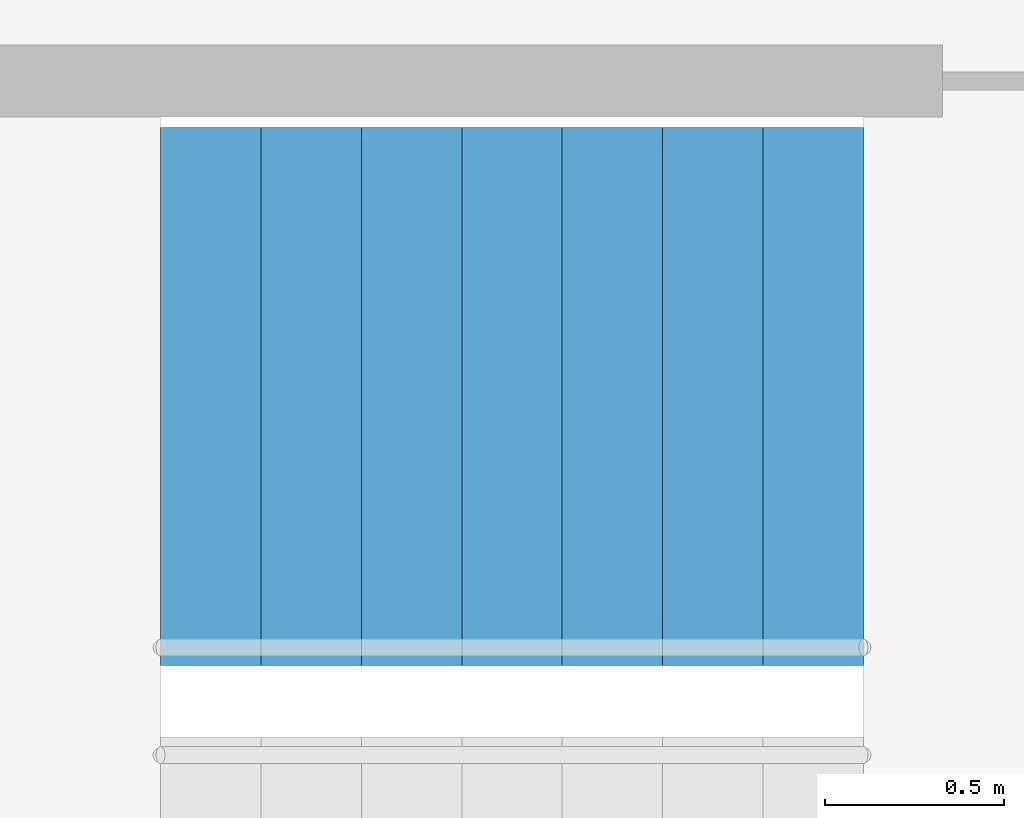
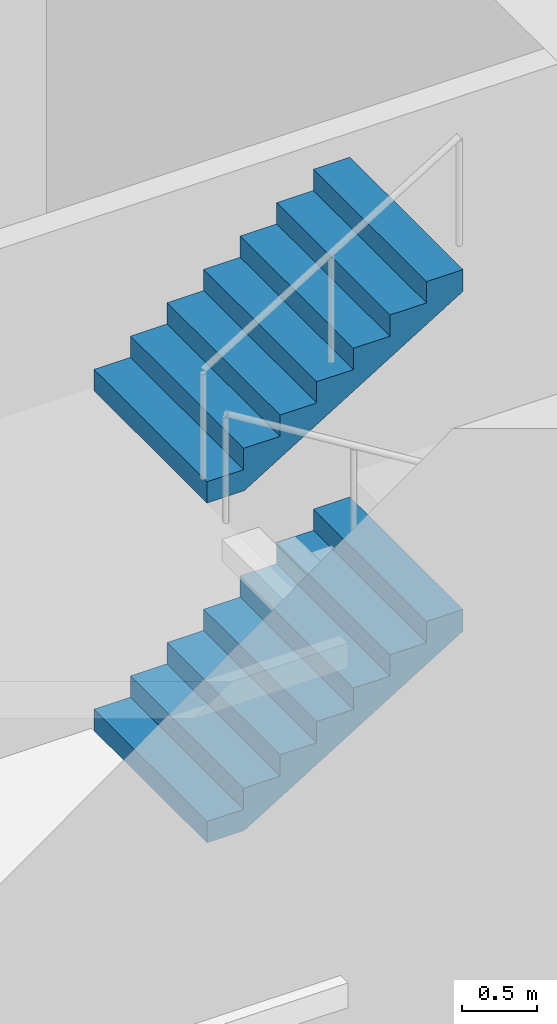
# One storey, part 17 of 19: 2 stair flights, 1 element without a shape of its own.
"""IFC4 building model written with IfcOpenShell, lengths in metres."""

from ifc_helpers import new_model, si_unit, direction, frame, origin, place, context, subcontext, project, spatial, triangles, material, type_object, element, aggregate, save


model = new_model("IFC4")

# Units and contexts
model_context = context("Model", 3, precision=1e-05, world=origin(), true_north=direction((0.0, 1.0)))
body_context = subcontext(model_context, "Body", "Model", "MODEL_VIEW")
ifc_project = project(units=[si_unit("LENGTHUNIT", "METRE"), si_unit("AREAUNIT", "SQUARE_METRE"), si_unit("VOLUMEUNIT", "CUBIC_METRE"), si_unit("PLANEANGLEUNIT", "RADIAN"), si_unit("MASSUNIT", "GRAM", prefix="KILO")], contexts=[model_context])

# Site, building, storey
site_placement = place(None, origin())
site = spatial("IfcSite", under=ifc_project, at=site_placement, CompositionType="ELEMENT")
building_placement = place(site_placement, origin())
building = spatial("IfcBuilding", under=site, at=building_placement, Name="Lantaw Convention Tower", CompositionType="ELEMENT")
storey_placement = place(building_placement, frame((0.0, 0.0, -5.5)))
storey = spatial("IfcBuildingStorey", under=building, at=storey_placement, Name="B1", CompositionType="ELEMENT", Elevation=-5.5)

# Stair, stair flights
ifc_material = material(Name="Concrete C35/45", Category="concrete")
stair_type = type_object("IfcStairType", Name="Exit stair 1500 riser 171.88 in 4 flights", PredefinedType="HALF_TURN_STAIR", material=ifc_material)
stair_placement = place(storey_placement, origin())
stair = element("IfcStair", 1, at=stair_placement, inside=storey, type_object=stair_type, Name="Exit stair S2 B1", PredefinedType="HALF_TURN_STAIR")
stair_flight_type = type_object("IfcStairFlightType", Name="Stair flight 1500 riser 171.88", PredefinedType="STRAIGHT", material=ifc_material)
stair_flight_1_placement = place(storey_placement, frame((8.6201171875, -4.280029296875, 1.375), z_axis=(0.0, 0.0, 1.0), x_axis=(1.0, 0.0, 0.0)))
stair_flight_1 = element("IfcStairFlight", 2, at=stair_flight_1_placement, type_object=stair_flight_type, Name="S2 flight 2", NumberOfRisers=8, NumberOfTreads=7, PredefinedType="STRAIGHT", RiserHeight=0.171875, TreadLength=0.28, context=body_context, shape_type="Tessellation", body=[
    triangles([(0.0, 0.75, 0.0), (0.0, 0.75, 0.171875), (0.28, 0.75, 0.0), (0.28, 0.75, 0.171875), (0.28, 0.75, 0.34375), (0.286542444818223, 0.75, 0.0), (0.286542444818223, 0.75, 0.34375), (0.56, 0.75, 0.1678589903459569), (0.56, 0.75, 0.34375), (0.56, 0.75, 0.515625), (0.8400000000000001, 0.75, 0.3397339903459569), (0.8400000000000001, 0.75, 0.515625), (0.8400000000000001, 0.75, 0.6875), (1.12, 0.75, 0.511608990345957), (1.12, 0.75, 0.6875), (1.12, 0.75, 0.859375), (1.4000000000000001, 0.75, 0.683483990345957), (1.4000000000000001, 0.75, 0.859375), (1.4000000000000001, 0.75, 1.03125), (1.6800000000000002, 0.75, 0.855358990345957), (1.6800000000000002, 0.75, 1.03125), (1.6800000000000002, 0.75, 1.203125), (1.9600000000000002, 0.75, 1.0272339903459569), (1.9600000000000002, 0.75, 1.203125), (0.0, -0.75, 0.0), (0.0, -0.75, 0.171875), (0.28, -0.75, 0.0), (0.28, -0.75, 0.171875), (0.28, -0.75, 0.34375), (0.286542444818223, -0.75, 0.0), (0.286542444818223, -0.75, 0.34375), (0.56, -0.75, 0.1678589903459569), (0.56, -0.75, 0.34375), (0.56, -0.75, 0.515625), (0.8400000000000001, -0.75, 0.3397339903459569), (0.8400000000000001, -0.75, 0.515625), (0.8400000000000001, -0.75, 0.6875), (1.12, -0.75, 0.511608990345957), (1.12, -0.75, 0.6875), (1.12, -0.75, 0.859375), (1.4000000000000001, -0.75, 0.683483990345957), (1.4000000000000001, -0.75, 0.859375), (1.4000000000000001, -0.75, 1.03125), (1.6800000000000002, -0.75, 0.855358990345957), (1.6800000000000002, -0.75, 1.03125), (1.6800000000000002, -0.75, 1.203125), (1.9600000000000002, -0.75, 1.0272339903459569), (1.9600000000000002, -0.75, 1.203125), (0.0, 0.15000000000000002, 0.171875), (0.0, 0.15000000000000002, 0.0), (0.0, 0.0, 0.171875), (0.0, 0.0, 0.0), (0.0, -0.15000000000000002, 0.171875), (0.0, -0.15000000000000002, 0.0), (0.28, 0.15000000000000002, 0.34375), (0.28, 0.15000000000000002, 0.171875), (0.28, 0.0, 0.34375), (0.28, 0.0, 0.171875), (0.28, -0.15000000000000002, 0.34375), (0.28, -0.15000000000000002, 0.171875), (0.56, 0.15000000000000002, 0.515625), (0.56, 0.15000000000000002, 0.34375), (0.56, 0.0, 0.515625), (0.56, 0.0, 0.34375), (0.56, -0.15000000000000002, 0.515625), (0.56, -0.15000000000000002, 0.34375), (0.8400000000000001, 0.15000000000000002, 0.6875), (0.8400000000000001, 0.15000000000000002, 0.515625), (0.8400000000000001, 0.0, 0.6875), (0.8400000000000001, 0.0, 0.515625), (0.8400000000000001, -0.15000000000000002, 0.6875), (0.8400000000000001, -0.15000000000000002, 0.515625), (1.12, 0.15000000000000002, 0.859375), (1.12, 0.15000000000000002, 0.6875), (1.12, 0.0, 0.859375), (1.12, 0.0, 0.6875), (1.12, -0.15000000000000002, 0.859375), (1.12, -0.15000000000000002, 0.6875), (1.4000000000000001, 0.15000000000000002, 1.03125), (1.4000000000000001, 0.15000000000000002, 0.859375), (1.4000000000000001, 0.0, 1.03125), (1.4000000000000001, 0.0, 0.859375), (1.4000000000000001, -0.15000000000000002, 1.03125), (1.4000000000000001, -0.15000000000000002, 0.859375), (1.6800000000000002, 0.15000000000000002, 1.203125), (1.6800000000000002, 0.15000000000000002, 1.03125), (1.6800000000000002, 0.0, 1.203125), (1.6800000000000002, 0.0, 1.03125), (1.6800000000000002, -0.15000000000000002, 1.203125), (1.6800000000000002, -0.15000000000000002, 1.03125), (0.286542444818223, 0.15000000000000002, 0.34375), (0.286542444818223, 0.0, 0.34375), (0.286542444818223, -0.15000000000000002, 0.34375), (1.9600000000000002, 0.15000000000000002, 1.203125), (1.9600000000000002, 0.0, 1.203125), (1.9600000000000002, -0.15000000000000002, 1.203125), (1.9600000000000002, 0.15000000000000002, 1.0272339903459569), (1.9600000000000002, 0.0, 1.0272339903459569), (1.9600000000000002, -0.15000000000000002, 1.0272339903459569), (1.6800000000000002, 0.15000000000000002, 0.855358990345957), (1.6800000000000002, 0.0, 0.855358990345957), (1.6800000000000002, -0.15000000000000002, 0.855358990345957), (1.4000000000000001, 0.15000000000000002, 0.683483990345957), (1.4000000000000001, 0.0, 0.683483990345957), (1.4000000000000001, -0.15000000000000002, 0.683483990345957), (1.12, 0.15000000000000002, 0.511608990345957), (1.12, 0.0, 0.511608990345957), (1.12, -0.15000000000000002, 0.511608990345957), (0.8400000000000001, 0.15000000000000002, 0.3397339903459569), (0.8400000000000001, 0.0, 0.3397339903459569), (0.8400000000000001, -0.15000000000000002, 0.3397339903459569), (0.56, 0.15000000000000002, 0.1678589903459569), (0.56, 0.0, 0.1678589903459569), (0.56, -0.15000000000000002, 0.1678589903459569), (0.286542444818223, 0.15000000000000002, 0.0), (0.286542444818223, 0.0, 0.0), (0.286542444818223, -0.15000000000000002, 0.0), (0.28, 0.15000000000000002, 0.0), (0.28, 0.0, 0.0), (0.28, -0.15000000000000002, 0.0)], [[1, 4, 3], [1, 2, 4], [3, 4, 6], [4, 7, 6], [4, 5, 7], [6, 9, 8], [6, 7, 9], [8, 9, 11], [9, 12, 11], [9, 10, 12], [11, 12, 14], [12, 15, 14], [12, 13, 15], [14, 15, 17], [15, 18, 17], [15, 16, 18], [17, 18, 20], [18, 21, 20], [18, 19, 21], [20, 21, 23], [21, 24, 23], [21, 22, 24], [25, 27, 28], [25, 28, 26], [27, 30, 28], [28, 30, 31], [28, 31, 29], [30, 32, 33], [30, 33, 31], [32, 35, 33], [33, 35, 36], [33, 36, 34], [35, 38, 36], [36, 38, 39], [36, 39, 37], [38, 41, 39], [39, 41, 42], [39, 42, 40], [41, 44, 42], [42, 44, 45], [42, 45, 43], [44, 47, 45], [45, 47, 48], [45, 48, 46], [1, 49, 2], [1, 50, 49], [50, 51, 49], [50, 52, 51], [52, 53, 51], [52, 54, 53], [54, 26, 53], [54, 25, 26], [4, 55, 5], [4, 56, 55], [56, 57, 55], [56, 58, 57], [58, 59, 57], [58, 60, 59], [60, 29, 59], [60, 28, 29], [9, 61, 10], [9, 62, 61], [62, 63, 61], [62, 64, 63], [64, 65, 63], [64, 66, 65], [66, 34, 65], [66, 33, 34], [12, 67, 13], [12, 68, 67], [68, 69, 67], [68, 70, 69], [70, 71, 69], [70, 72, 71], [72, 37, 71], [72, 36, 37], [15, 73, 16], [15, 74, 73], [74, 75, 73], [74, 76, 75], [76, 77, 75], [76, 78, 77], [78, 40, 77], [78, 39, 40], [18, 79, 19], [18, 80, 79], [80, 81, 79], [80, 82, 81], [82, 83, 81], [82, 84, 83], [84, 43, 83], [84, 42, 43], [21, 85, 22], [21, 86, 85], [86, 87, 85], [86, 88, 87], [88, 89, 87], [88, 90, 89], [90, 46, 89], [90, 45, 46], [2, 56, 4], [2, 49, 56], [49, 58, 56], [49, 51, 58], [51, 60, 58], [51, 53, 60], [53, 28, 60], [53, 26, 28], [5, 91, 7], [5, 55, 91], [55, 92, 91], [55, 57, 92], [57, 93, 92], [57, 59, 93], [59, 31, 93], [59, 29, 31], [7, 62, 9], [7, 91, 62], [91, 64, 62], [91, 92, 64], [92, 66, 64], [92, 93, 66], [93, 33, 66], [93, 31, 33], [10, 68, 12], [10, 61, 68], [61, 70, 68], [61, 63, 70], [63, 72, 70], [63, 65, 72], [65, 36, 72], [65, 34, 36], [13, 74, 15], [13, 67, 74], [67, 76, 74], [67, 69, 76], [69, 78, 76], [69, 71, 78], [71, 39, 78], [71, 37, 39], [16, 80, 18], [16, 73, 80], [73, 82, 80], [73, 75, 82], [75, 84, 82], [75, 77, 84], [77, 42, 84], [77, 40, 42], [19, 86, 21], [19, 79, 86], [79, 88, 86], [79, 81, 88], [81, 90, 88], [81, 83, 90], [83, 45, 90], [83, 43, 45], [22, 94, 24], [22, 85, 94], [85, 95, 94], [85, 87, 95], [87, 96, 95], [87, 89, 96], [89, 48, 96], [89, 46, 48], [24, 97, 23], [24, 94, 97], [94, 98, 97], [94, 95, 98], [95, 99, 98], [95, 96, 99], [96, 47, 99], [96, 48, 47], [23, 100, 20], [23, 97, 100], [97, 101, 100], [97, 98, 101], [98, 102, 101], [98, 99, 102], [99, 44, 102], [99, 47, 44], [20, 103, 17], [20, 100, 103], [100, 104, 103], [100, 101, 104], [101, 105, 104], [101, 102, 105], [102, 41, 105], [102, 44, 41], [17, 106, 14], [17, 103, 106], [103, 107, 106], [103, 104, 107], [104, 108, 107], [104, 105, 108], [105, 38, 108], [105, 41, 38], [14, 109, 11], [14, 106, 109], [106, 110, 109], [106, 107, 110], [107, 111, 110], [107, 108, 111], [108, 35, 111], [108, 38, 35], [11, 112, 8], [11, 109, 112], [109, 113, 112], [109, 110, 113], [110, 114, 113], [110, 111, 114], [111, 32, 114], [111, 35, 32], [8, 115, 6], [8, 112, 115], [112, 116, 115], [112, 113, 116], [113, 117, 116], [113, 114, 117], [114, 30, 117], [114, 32, 30], [6, 118, 3], [6, 115, 118], [115, 119, 118], [115, 116, 119], [116, 120, 119], [116, 117, 120], [117, 27, 120], [117, 30, 27], [3, 50, 1], [3, 118, 50], [118, 52, 50], [118, 119, 52], [119, 54, 52], [119, 120, 54], [120, 25, 54], [120, 27, 25]], closed=True),
])
stair_flight_2_placement = place(storey_placement, frame((8.6201171875, -4.280029296875, 4.125), z_axis=(0.0, 0.0, 1.0), x_axis=(1.0, 0.0, 0.0)))
stair_flight_2 = element("IfcStairFlight", 3, at=stair_flight_2_placement, type_object=stair_flight_type, Name="S2 flight 4", NumberOfRisers=8, NumberOfTreads=7, PredefinedType="STRAIGHT", RiserHeight=0.171875, TreadLength=0.28, context=body_context, shape_type="Tessellation", body=[
    triangles([(0.0, 0.75, 0.0), (0.0, 0.75, 0.171875), (0.28, 0.75, 0.0), (0.28, 0.75, 0.171875), (0.28, 0.75, 0.34375), (0.286542444818223, 0.75, 0.0), (0.286542444818223, 0.75, 0.34375), (0.56, 0.75, 0.1678589903459569), (0.56, 0.75, 0.34375), (0.56, 0.75, 0.515625), (0.8400000000000001, 0.75, 0.3397339903459569), (0.8400000000000001, 0.75, 0.515625), (0.8400000000000001, 0.75, 0.6875), (1.12, 0.75, 0.511608990345957), (1.12, 0.75, 0.6875), (1.12, 0.75, 0.859375), (1.4000000000000001, 0.75, 0.683483990345957), (1.4000000000000001, 0.75, 0.859375), (1.4000000000000001, 0.75, 1.03125), (1.6800000000000002, 0.75, 0.855358990345957), (1.6800000000000002, 0.75, 1.03125), (1.6800000000000002, 0.75, 1.203125), (1.9600000000000002, 0.75, 1.0272339903459569), (1.9600000000000002, 0.75, 1.203125), (0.0, -0.75, 0.0), (0.0, -0.75, 0.171875), (0.28, -0.75, 0.0), (0.28, -0.75, 0.171875), (0.28, -0.75, 0.34375), (0.286542444818223, -0.75, 0.0), (0.286542444818223, -0.75, 0.34375), (0.56, -0.75, 0.1678589903459569), (0.56, -0.75, 0.34375), (0.56, -0.75, 0.515625), (0.8400000000000001, -0.75, 0.3397339903459569), (0.8400000000000001, -0.75, 0.515625), (0.8400000000000001, -0.75, 0.6875), (1.12, -0.75, 0.511608990345957), (1.12, -0.75, 0.6875), (1.12, -0.75, 0.859375), (1.4000000000000001, -0.75, 0.683483990345957), (1.4000000000000001, -0.75, 0.859375), (1.4000000000000001, -0.75, 1.03125), (1.6800000000000002, -0.75, 0.855358990345957), (1.6800000000000002, -0.75, 1.03125), (1.6800000000000002, -0.75, 1.203125), (1.9600000000000002, -0.75, 1.0272339903459569), (1.9600000000000002, -0.75, 1.203125), (0.0, 0.15000000000000002, 0.171875), (0.0, 0.15000000000000002, 0.0), (0.0, 0.0, 0.171875), (0.0, 0.0, 0.0), (0.0, -0.15000000000000002, 0.171875), (0.0, -0.15000000000000002, 0.0), (0.28, 0.15000000000000002, 0.34375), (0.28, 0.15000000000000002, 0.171875), (0.28, 0.0, 0.34375), (0.28, 0.0, 0.171875), (0.28, -0.15000000000000002, 0.34375), (0.28, -0.15000000000000002, 0.171875), (0.56, 0.15000000000000002, 0.515625), (0.56, 0.15000000000000002, 0.34375), (0.56, 0.0, 0.515625), (0.56, 0.0, 0.34375), (0.56, -0.15000000000000002, 0.515625), (0.56, -0.15000000000000002, 0.34375), (0.8400000000000001, 0.15000000000000002, 0.6875), (0.8400000000000001, 0.15000000000000002, 0.515625), (0.8400000000000001, 0.0, 0.6875), (0.8400000000000001, 0.0, 0.515625), (0.8400000000000001, -0.15000000000000002, 0.6875), (0.8400000000000001, -0.15000000000000002, 0.515625), (1.12, 0.15000000000000002, 0.859375), (1.12, 0.15000000000000002, 0.6875), (1.12, 0.0, 0.859375), (1.12, 0.0, 0.6875), (1.12, -0.15000000000000002, 0.859375), (1.12, -0.15000000000000002, 0.6875), (1.4000000000000001, 0.15000000000000002, 1.03125), (1.4000000000000001, 0.15000000000000002, 0.859375), (1.4000000000000001, 0.0, 1.03125), (1.4000000000000001, 0.0, 0.859375), (1.4000000000000001, -0.15000000000000002, 1.03125), (1.4000000000000001, -0.15000000000000002, 0.859375), (1.6800000000000002, 0.15000000000000002, 1.203125), (1.6800000000000002, 0.15000000000000002, 1.03125), (1.6800000000000002, 0.0, 1.203125), (1.6800000000000002, 0.0, 1.03125), (1.6800000000000002, -0.15000000000000002, 1.203125), (1.6800000000000002, -0.15000000000000002, 1.03125), (0.286542444818223, 0.15000000000000002, 0.34375), (0.286542444818223, 0.0, 0.34375), (0.286542444818223, -0.15000000000000002, 0.34375), (1.9600000000000002, 0.15000000000000002, 1.203125), (1.9600000000000002, 0.0, 1.203125), (1.9600000000000002, -0.15000000000000002, 1.203125), (1.9600000000000002, 0.15000000000000002, 1.0272339903459569), (1.9600000000000002, 0.0, 1.0272339903459569), (1.9600000000000002, -0.15000000000000002, 1.0272339903459569), (1.6800000000000002, 0.15000000000000002, 0.855358990345957), (1.6800000000000002, 0.0, 0.855358990345957), (1.6800000000000002, -0.15000000000000002, 0.855358990345957), (1.4000000000000001, 0.15000000000000002, 0.683483990345957), (1.4000000000000001, 0.0, 0.683483990345957), (1.4000000000000001, -0.15000000000000002, 0.683483990345957), (1.12, 0.15000000000000002, 0.511608990345957), (1.12, 0.0, 0.511608990345957), (1.12, -0.15000000000000002, 0.511608990345957), (0.8400000000000001, 0.15000000000000002, 0.3397339903459569), (0.8400000000000001, 0.0, 0.3397339903459569), (0.8400000000000001, -0.15000000000000002, 0.3397339903459569), (0.56, 0.15000000000000002, 0.1678589903459569), (0.56, 0.0, 0.1678589903459569), (0.56, -0.15000000000000002, 0.1678589903459569), (0.286542444818223, 0.15000000000000002, 0.0), (0.286542444818223, 0.0, 0.0), (0.286542444818223, -0.15000000000000002, 0.0), (0.28, 0.15000000000000002, 0.0), (0.28, 0.0, 0.0), (0.28, -0.15000000000000002, 0.0)], [[1, 4, 3], [1, 2, 4], [3, 4, 6], [4, 7, 6], [4, 5, 7], [6, 9, 8], [6, 7, 9], [8, 9, 11], [9, 12, 11], [9, 10, 12], [11, 12, 14], [12, 15, 14], [12, 13, 15], [14, 15, 17], [15, 18, 17], [15, 16, 18], [17, 18, 20], [18, 21, 20], [18, 19, 21], [20, 21, 23], [21, 24, 23], [21, 22, 24], [25, 27, 28], [25, 28, 26], [27, 30, 28], [28, 30, 31], [28, 31, 29], [30, 32, 33], [30, 33, 31], [32, 35, 33], [33, 35, 36], [33, 36, 34], [35, 38, 36], [36, 38, 39], [36, 39, 37], [38, 41, 39], [39, 41, 42], [39, 42, 40], [41, 44, 42], [42, 44, 45], [42, 45, 43], [44, 47, 45], [45, 47, 48], [45, 48, 46], [1, 49, 2], [1, 50, 49], [50, 51, 49], [50, 52, 51], [52, 53, 51], [52, 54, 53], [54, 26, 53], [54, 25, 26], [4, 55, 5], [4, 56, 55], [56, 57, 55], [56, 58, 57], [58, 59, 57], [58, 60, 59], [60, 29, 59], [60, 28, 29], [9, 61, 10], [9, 62, 61], [62, 63, 61], [62, 64, 63], [64, 65, 63], [64, 66, 65], [66, 34, 65], [66, 33, 34], [12, 67, 13], [12, 68, 67], [68, 69, 67], [68, 70, 69], [70, 71, 69], [70, 72, 71], [72, 37, 71], [72, 36, 37], [15, 73, 16], [15, 74, 73], [74, 75, 73], [74, 76, 75], [76, 77, 75], [76, 78, 77], [78, 40, 77], [78, 39, 40], [18, 79, 19], [18, 80, 79], [80, 81, 79], [80, 82, 81], [82, 83, 81], [82, 84, 83], [84, 43, 83], [84, 42, 43], [21, 85, 22], [21, 86, 85], [86, 87, 85], [86, 88, 87], [88, 89, 87], [88, 90, 89], [90, 46, 89], [90, 45, 46], [2, 56, 4], [2, 49, 56], [49, 58, 56], [49, 51, 58], [51, 60, 58], [51, 53, 60], [53, 28, 60], [53, 26, 28], [5, 91, 7], [5, 55, 91], [55, 92, 91], [55, 57, 92], [57, 93, 92], [57, 59, 93], [59, 31, 93], [59, 29, 31], [7, 62, 9], [7, 91, 62], [91, 64, 62], [91, 92, 64], [92, 66, 64], [92, 93, 66], [93, 33, 66], [93, 31, 33], [10, 68, 12], [10, 61, 68], [61, 70, 68], [61, 63, 70], [63, 72, 70], [63, 65, 72], [65, 36, 72], [65, 34, 36], [13, 74, 15], [13, 67, 74], [67, 76, 74], [67, 69, 76], [69, 78, 76], [69, 71, 78], [71, 39, 78], [71, 37, 39], [16, 80, 18], [16, 73, 80], [73, 82, 80], [73, 75, 82], [75, 84, 82], [75, 77, 84], [77, 42, 84], [77, 40, 42], [19, 86, 21], [19, 79, 86], [79, 88, 86], [79, 81, 88], [81, 90, 88], [81, 83, 90], [83, 45, 90], [83, 43, 45], [22, 94, 24], [22, 85, 94], [85, 95, 94], [85, 87, 95], [87, 96, 95], [87, 89, 96], [89, 48, 96], [89, 46, 48], [24, 97, 23], [24, 94, 97], [94, 98, 97], [94, 95, 98], [95, 99, 98], [95, 96, 99], [96, 47, 99], [96, 48, 47], [23, 100, 20], [23, 97, 100], [97, 101, 100], [97, 98, 101], [98, 102, 101], [98, 99, 102], [99, 44, 102], [99, 47, 44], [20, 103, 17], [20, 100, 103], [100, 104, 103], [100, 101, 104], [101, 105, 104], [101, 102, 105], [102, 41, 105], [102, 44, 41], [17, 106, 14], [17, 103, 106], [103, 107, 106], [103, 104, 107], [104, 108, 107], [104, 105, 108], [105, 38, 108], [105, 41, 38], [14, 109, 11], [14, 106, 109], [106, 110, 109], [106, 107, 110], [107, 111, 110], [107, 108, 111], [108, 35, 111], [108, 38, 35], [11, 112, 8], [11, 109, 112], [109, 113, 112], [109, 110, 113], [110, 114, 113], [110, 111, 114], [111, 32, 114], [111, 35, 32], [8, 115, 6], [8, 112, 115], [112, 116, 115], [112, 113, 116], [113, 117, 116], [113, 114, 117], [114, 30, 117], [114, 32, 30], [6, 118, 3], [6, 115, 118], [115, 119, 118], [115, 116, 119], [116, 120, 119], [116, 117, 120], [117, 27, 120], [117, 30, 27], [3, 50, 1], [3, 118, 50], [118, 52, 50], [118, 119, 52], [119, 54, 52], [119, 120, 54], [120, 25, 54], [120, 27, 25]], closed=True),
])
aggregate(stair, [stair_flight_1, stair_flight_2])

save(model, "model.ifc")
